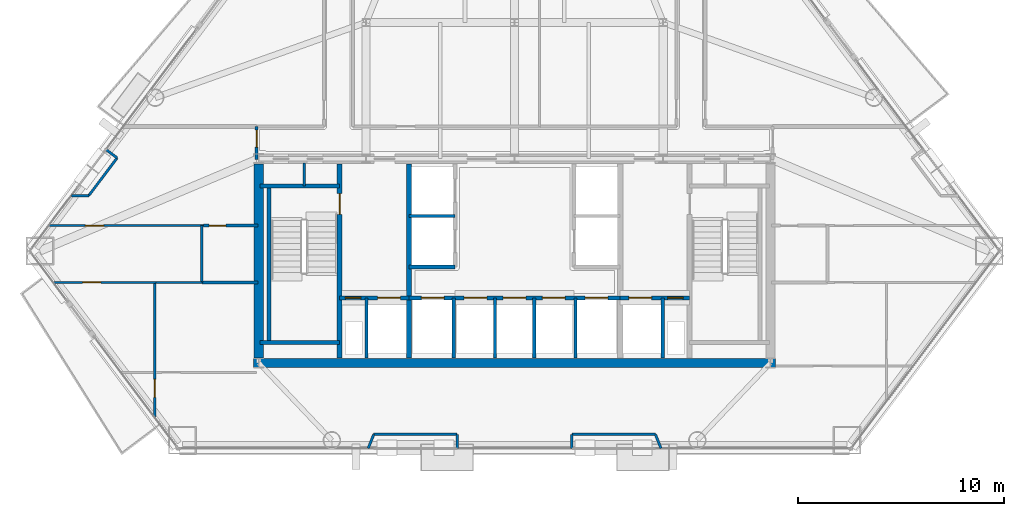
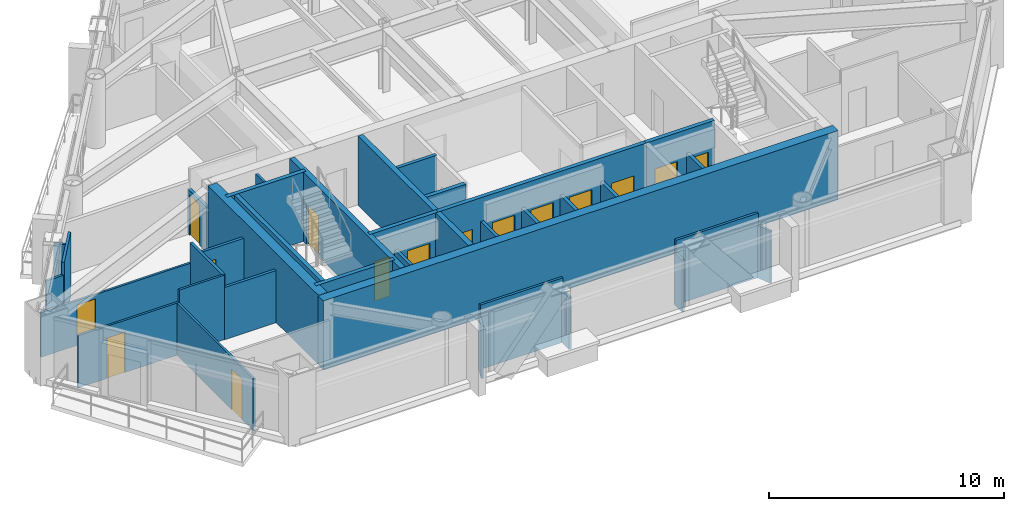
# One storey, part 6 of 11: 36 walls, 15 doors, 15 openings.
"""IFC4 building model written with IfcOpenShell, lengths in metres."""

from ifc_helpers import new_model, si_unit, direction, frame, frame_2d, origin, place, context, subcontext, project, spatial, rectangle, extrude, material, layer, layer_set, type_object, element, fill, save


model = new_model("IFC4")

# Units and contexts
model_context = context("Model", 3, precision=1e-05, world=origin(), true_north=direction((0.0, 1.0)))
body_context = subcontext(model_context, "Body", "Model", "MODEL_VIEW")
ifc_project = project(units=[si_unit("LENGTHUNIT", "METRE"), si_unit("AREAUNIT", "SQUARE_METRE"), si_unit("VOLUMEUNIT", "CUBIC_METRE"), si_unit("PLANEANGLEUNIT", "RADIAN"), si_unit("MASSUNIT", "GRAM", prefix="KILO")], contexts=[model_context])

# Site, building, storey
site_placement = place(None, origin())
site = spatial("IfcSite", under=ifc_project, at=site_placement, CompositionType="ELEMENT")
building_placement = place(site_placement, origin())
building = spatial("IfcBuilding", under=site, at=building_placement, Name="Talgorran Terracotta Tower", CompositionType="ELEMENT")
storey_placement = place(building_placement, frame((0.0, 0.0, 68.39990234375)))
storey = spatial("IfcBuildingStorey", under=building, at=storey_placement, Name="L17", CompositionType="ELEMENT", Elevation=68.39990234375)

# Walls
ifc_material_1 = material(Name="Concrete C50/60", Category="concrete")
ifc_layer_1 = layer(ifc_material_1, 0.199951171875, Name="WT_CORE_200")
ifc_layer_set_1 = layer_set([ifc_layer_1], Name="Concrete C50/60")
wall_type_1 = type_object("IfcWallType", Name="WT_CORE_200", PredefinedType="SOLIDWALL", material=ifc_layer_set_1)
for number, where, z_axis, x_axis, name in (
    (1, (-12.35009765625, -5.52001953125, 0.0), (0.0, 0.0, 1.0), (1.0, 0.0, 0.0), "WL-L17-CW-ST1-N"),
    (2, (-12.35009765625, -13.10009765625, 0.0), (0.0, 0.0, 1.0), (1.0, 0.0, 0.0), "WL-L17-CW-ST1-S"),
):
    element("IfcWall", number, at=place(storey_placement, frame(where, z_axis=z_axis, x_axis=x_axis)), inside=storey, type_object=wall_type_1, Name=name, PredefinedType="SOLIDWALL", context=body_context, shape_type="SweptSolid", body=[
        extrude(rectangle(XDim=3.8701171875, YDim=0.199951171875, at=frame_2d((1.93505859375, 0.0))), origin(), (0.0, 0.0, 1.0), 3.60009765625),
    ])
wall_1_placement = place(storey_placement, frame((-11.89990234375, -13.10009765625, 0.0), z_axis=(0.0, 0.0, 1.0), x_axis=(0.0, 1.0, 0.0)))
element("IfcWall", 3, at=wall_1_placement, inside=storey, type_object=wall_type_1, Name="WL-L17-CW-ST1-W", PredefinedType="SOLIDWALL", context=body_context, shape_type="SweptSolid", body=[
    extrude(rectangle(XDim=7.580078125, YDim=0.199951171875, at=frame_2d((3.7900390625, 0.0))), origin(), (0.0, 0.0, 1.0), 3.60009765625),
])

# Wall, openings, doors
wall_2_placement = place(storey_placement, frame((-8.47998046875, -10.949951171875, 0.0), z_axis=(0.0, 0.0, 1.0), x_axis=(1.0, 0.0, 0.0)))
wall_2 = element("IfcWall", 4, at=wall_2_placement, inside=storey, type_object=wall_type_1, Name="WL-L17-CW-H-SBW", PredefinedType="SOLIDWALL", context=body_context, shape_type="SweptSolid", body=[
    extrude(rectangle(XDim=3.35986328125, YDim=0.199951171875, at=frame_2d((1.679931640625, 0.0))), origin(), (0.0, 0.0, 1.0), 3.60009765625),
])
opening_1_placement = place(wall_2_placement, frame((0.280029296875, 0.0, 0.0)))
opening_1 = element("IfcOpeningElement", 5, at=opening_1_placement, cuts=wall_2, Name="Opening DR-RSW", PredefinedType="OPENING", context=body_context, shape_type="SweptSolid", body=[
    extrude(rectangle(XDim=0.756, YDim=2.054048828125, at=frame_2d((0.375, 1.027099609375))), frame((0.0, 0.10986328125, 0.0), z_axis=(0.0, -1.0, 0.0), x_axis=(1.0, 0.0, 0.0)), (0.0, 0.0, 1.0), 0.219970703125),
])
opening_2_placement = place(wall_2_placement, frame((1.85009765625, 0.0, 0.0)))
opening_2 = element("IfcOpeningElement", 6, at=opening_2_placement, cuts=wall_2, Name="Opening LD-FFL1", PredefinedType="OPENING", context=body_context, shape_type="SweptSolid", body=[
    extrude(rectangle(XDim=1.10609765625, YDim=2.10409765625, at=frame_2d((0.550048828125, 1.052001953125))), frame((0.0, 0.10986328125, 0.0), z_axis=(0.0, -1.0, 0.0), x_axis=(1.0, 0.0, 0.0)), (0.0, 0.0, 1.0), 0.219970703125),
])
ifc_material_2 = material(Name="Brushed Stainless Steel Grade 304", Category="steel")
door_type_1 = type_object("IfcDoorType", Name="DT_LIFT_LD1100", OperationType="DOUBLE_DOOR_SLIDING", PredefinedType="DOOR", material=ifc_material_2)
door_1_placement = place(opening_2_placement, origin())
door_1 = element("IfcDoor", 7, at=door_1_placement, inside=storey, type_object=door_type_1, Name="L17 Lift Landing Door LD-FFL1", OperationType="DOUBLE_DOOR_SLIDING", OverallHeight=2.10009765625, OverallWidth=1.10009765625, PredefinedType="DOOR", context=body_context, shape_type="SweptSolid", body=[
    extrude(rectangle(XDim=1.10009765625, YDim=2.10009765625, at=frame_2d((0.550048828125, 1.050048828125))), frame((0.0, 0.02490234375, 0.0), z_axis=(0.0, -1.0, 0.0), x_axis=(1.0, 0.0, 0.0)), (0.0, 0.0, 1.0), 0.050048828125),
])
fill(opening_2, door_1)
ifc_material_3 = material(Name="Fire-Rated Pressed Steel", Category="steel")
door_type_2 = type_object("IfcDoorType", Name="DT_RISER_750", OperationType="NOTDEFINED", PredefinedType="DOOR", material=ifc_material_3)
door_2_placement = place(opening_1_placement, origin())
door_2 = element("IfcDoor", 8, at=door_2_placement, inside=storey, type_object=door_type_2, Name="DR-RSW", OperationType="SINGLE_SWING_LEFT", OverallHeight=2.050048828125, OverallWidth=0.75, PredefinedType="DOOR", context=body_context, shape_type="SweptSolid", body=[
    extrude(rectangle(XDim=0.75, YDim=2.050048828125, at=frame_2d((0.375, 1.02490234375))), frame((0.0, 0.02490234375, 0.0), z_axis=(0.0, -1.0, 0.0), x_axis=(1.0, 0.0, 0.0)), (0.0, 0.0, 1.0), 0.050048828125),
])
fill(opening_1, door_2)

wall_3_placement = place(storey_placement, frame((-5.1201171875, -10.949951171875, 0.0), z_axis=(0.0, 0.0, 1.0), x_axis=(1.0, 0.0, 0.0)))
wall_3 = element("IfcWall", 9, at=wall_3_placement, inside=storey, type_object=wall_type_1, Name="WL-L17-CW-H-SBC", PredefinedType="SOLIDWALL", context=body_context, shape_type="SweptSolid", body=[
    extrude(rectangle(XDim=10.240234375, YDim=0.199951171875, at=frame_2d((5.1201171875, 0.0))), origin(), (0.0, 0.0, 1.0), 3.60009765625),
])
opening_3_placement = place(wall_3_placement, frame((0.60009765625, 0.0, 0.0)))
opening_3 = element("IfcOpeningElement", 10, at=opening_3_placement, cuts=wall_3, Name="Opening LD-OB1", PredefinedType="OPENING", context=body_context, shape_type="SweptSolid", body=[
    extrude(rectangle(XDim=1.10609765625, YDim=2.10409765625, at=frame_2d((0.550048828125, 1.052001953125))), frame((0.0, 0.10986328125, 0.0), z_axis=(0.0, -1.0, 0.0), x_axis=(1.0, 0.0, 0.0)), (0.0, 0.0, 1.0), 0.219970703125),
])
opening_4_placement = place(wall_3_placement, frame((2.669921875, 0.0, 0.0)))
opening_4 = element("IfcOpeningElement", 11, at=opening_4_placement, cuts=wall_3, Name="Opening LD-PLH1", PredefinedType="OPENING", context=body_context, shape_type="SweptSolid", body=[
    extrude(rectangle(XDim=1.10609765625, YDim=2.10409765625, at=frame_2d((0.550048828125, 1.052001953125))), frame((0.0, 0.10986328125, 0.0), z_axis=(0.0, -1.0, 0.0), x_axis=(1.0, 0.0, 0.0)), (0.0, 0.0, 1.0), 0.219970703125),
])
opening_5_placement = place(wall_3_placement, frame((4.570068359375, 0.0, 0.0)))
opening_5 = element("IfcOpeningElement", 12, at=opening_5_placement, cuts=wall_3, Name="Opening LD-PLH2", PredefinedType="OPENING", context=body_context, shape_type="SweptSolid", body=[
    extrude(rectangle(XDim=1.10609765625, YDim=2.10409765625, at=frame_2d((0.550048828125, 1.052001953125))), frame((0.0, 0.10986328125, 0.0), z_axis=(0.0, -1.0, 0.0), x_axis=(1.0, 0.0, 0.0)), (0.0, 0.0, 1.0), 0.219970703125),
])
opening_6_placement = place(wall_3_placement, frame((6.469970703125, 0.0, 0.0)))
opening_6 = element("IfcOpeningElement", 13, at=opening_6_placement, cuts=wall_3, Name="Opening LD-PLH3", PredefinedType="OPENING", context=body_context, shape_type="SweptSolid", body=[
    extrude(rectangle(XDim=1.10609765625, YDim=2.10409765625, at=frame_2d((0.550048828125, 1.052001953125))), frame((0.0, 0.10986328125, 0.0), z_axis=(0.0, -1.0, 0.0), x_axis=(1.0, 0.0, 0.0)), (0.0, 0.0, 1.0), 0.219970703125),
])
opening_7_placement = place(wall_3_placement, frame((8.5400390625, 0.0, 0.0)))
opening_7 = element("IfcOpeningElement", 14, at=opening_7_placement, cuts=wall_3, Name="Opening LD-SVL1", PredefinedType="OPENING", context=body_context, shape_type="SweptSolid", body=[
    extrude(rectangle(XDim=1.10609765625, YDim=2.10409765625, at=frame_2d((0.550048828125, 1.052001953125))), frame((0.0, 0.10986328125, 0.0), z_axis=(0.0, -1.0, 0.0), x_axis=(1.0, 0.0, 0.0)), (0.0, 0.0, 1.0), 0.219970703125),
])
door_3_placement = place(opening_3_placement, origin())
door_3 = element("IfcDoor", 15, at=door_3_placement, inside=storey, type_object=door_type_1, Name="L17 Lift Landing Door LD-OB1", OperationType="DOUBLE_DOOR_SLIDING", OverallHeight=2.10009765625, OverallWidth=1.10009765625, PredefinedType="DOOR", context=body_context, shape_type="SweptSolid", body=[
    extrude(rectangle(XDim=1.10009765625, YDim=2.10009765625, at=frame_2d((0.550048828125, 1.050048828125))), frame((0.0, 0.02490234375, 0.0), z_axis=(0.0, -1.0, 0.0), x_axis=(1.0, 0.0, 0.0)), (0.0, 0.0, 1.0), 0.050048828125),
])
fill(opening_3, door_3)
door_4_placement = place(opening_4_placement, origin())
door_4 = element("IfcDoor", 16, at=door_4_placement, inside=storey, type_object=door_type_1, Name="L17 Lift Landing Door LD-PLH1", OperationType="DOUBLE_DOOR_SLIDING", OverallHeight=2.10009765625, OverallWidth=1.10009765625, PredefinedType="DOOR", context=body_context, shape_type="SweptSolid", body=[
    extrude(rectangle(XDim=1.10009765625, YDim=2.10009765625, at=frame_2d((0.550048828125, 1.050048828125))), frame((0.0, 0.02490234375, 0.0), z_axis=(0.0, -1.0, 0.0), x_axis=(1.0, 0.0, 0.0)), (0.0, 0.0, 1.0), 0.050048828125),
])
fill(opening_4, door_4)
door_5_placement = place(opening_5_placement, origin())
door_5 = element("IfcDoor", 17, at=door_5_placement, inside=storey, type_object=door_type_1, Name="L17 Lift Landing Door LD-PLH2", OperationType="DOUBLE_DOOR_SLIDING", OverallHeight=2.10009765625, OverallWidth=1.10009765625, PredefinedType="DOOR", context=body_context, shape_type="SweptSolid", body=[
    extrude(rectangle(XDim=1.10009765625, YDim=2.10009765625, at=frame_2d((0.550048828125, 1.050048828125))), frame((0.0, 0.02490234375, 0.0), z_axis=(0.0, -1.0, 0.0), x_axis=(1.0, 0.0, 0.0)), (0.0, 0.0, 1.0), 0.050048828125),
])
fill(opening_5, door_5)
door_6_placement = place(opening_6_placement, origin())
door_6 = element("IfcDoor", 18, at=door_6_placement, inside=storey, type_object=door_type_1, Name="L17 Lift Landing Door LD-PLH3", OperationType="DOUBLE_DOOR_SLIDING", OverallHeight=2.10009765625, OverallWidth=1.10009765625, PredefinedType="DOOR", context=body_context, shape_type="SweptSolid", body=[
    extrude(rectangle(XDim=1.10009765625, YDim=2.10009765625, at=frame_2d((0.550048828125, 1.050048828125))), frame((0.0, 0.02490234375, 0.0), z_axis=(0.0, -1.0, 0.0), x_axis=(1.0, 0.0, 0.0)), (0.0, 0.0, 1.0), 0.050048828125),
])
fill(opening_6, door_6)
door_7_placement = place(opening_7_placement, origin())
door_7 = element("IfcDoor", 19, at=door_7_placement, inside=storey, type_object=door_type_1, Name="L17 Lift Landing Door LD-SVL1", OperationType="DOUBLE_DOOR_SLIDING", OverallHeight=2.10009765625, OverallWidth=1.10009765625, PredefinedType="DOOR", context=body_context, shape_type="SweptSolid", body=[
    extrude(rectangle(XDim=1.10009765625, YDim=2.10009765625, at=frame_2d((0.550048828125, 1.050048828125))), frame((0.0, 0.02490234375, 0.0), z_axis=(0.0, -1.0, 0.0), x_axis=(1.0, 0.0, 0.0)), (0.0, 0.0, 1.0), 0.050048828125),
])
fill(opening_7, door_7)

wall_4_placement = place(storey_placement, frame((5.1201171875, -10.949951171875, 0.0), z_axis=(0.0, 0.0, 1.0), x_axis=(1.0, 0.0, 0.0)))
wall_4 = element("IfcWall", 20, at=wall_4_placement, inside=storey, type_object=wall_type_1, Name="WL-L17-CW-H-SBE", PredefinedType="SOLIDWALL", context=body_context, shape_type="SweptSolid", body=[
    extrude(rectangle(XDim=3.35986328125, YDim=0.199951171875, at=frame_2d((1.679931640625, 0.0))), origin(), (0.0, 0.0, 1.0), 3.60009765625),
])
opening_8_placement = place(wall_4_placement, frame((0.419921875, 0.0, 0.0)))
opening_8 = element("IfcOpeningElement", 21, at=opening_8_placement, cuts=wall_4, Name="Opening LD-FFL2", PredefinedType="OPENING", context=body_context, shape_type="SweptSolid", body=[
    extrude(rectangle(XDim=1.10609765625, YDim=2.10409765625, at=frame_2d((0.550048828125, 1.052001953125))), frame((0.0, 0.10986328125, 0.0), z_axis=(0.0, -1.0, 0.0), x_axis=(1.0, 0.0, 0.0)), (0.0, 0.0, 1.0), 0.219970703125),
])
opening_9_placement = place(wall_4_placement, frame((2.300048828125, 0.0, 0.0)))
opening_9 = element("IfcOpeningElement", 22, at=opening_9_placement, cuts=wall_4, Name="Opening DR-RSE", PredefinedType="OPENING", context=body_context, shape_type="SweptSolid", body=[
    extrude(rectangle(XDim=0.756, YDim=2.054048828125, at=frame_2d((0.375, 1.027099609375))), frame((0.0, 0.10986328125, 0.0), z_axis=(0.0, -1.0, 0.0), x_axis=(1.0, 0.0, 0.0)), (0.0, 0.0, 1.0), 0.219970703125),
])
door_8_placement = place(opening_8_placement, origin())
door_8 = element("IfcDoor", 23, at=door_8_placement, inside=storey, type_object=door_type_1, Name="L17 Lift Landing Door LD-FFL2", OperationType="DOUBLE_DOOR_SLIDING", OverallHeight=2.10009765625, OverallWidth=1.10009765625, PredefinedType="DOOR", context=body_context, shape_type="SweptSolid", body=[
    extrude(rectangle(XDim=1.10009765625, YDim=2.10009765625, at=frame_2d((0.550048828125, 1.050048828125))), frame((0.0, 0.02490234375, 0.0), z_axis=(0.0, -1.0, 0.0), x_axis=(1.0, 0.0, 0.0)), (0.0, 0.0, 1.0), 0.050048828125),
])
fill(opening_8, door_8)
door_9_placement = place(opening_9_placement, origin())
door_9 = element("IfcDoor", 24, at=door_9_placement, inside=storey, type_object=door_type_2, Name="DR-RSE", OperationType="SINGLE_SWING_RIGHT", OverallHeight=2.050048828125, OverallWidth=0.75, PredefinedType="DOOR", context=body_context, shape_type="SweptSolid", body=[
    extrude(rectangle(XDim=0.75, YDim=2.050048828125, at=frame_2d((0.375, 1.02490234375))), frame((0.0, 0.02490234375, 0.0), z_axis=(0.0, -1.0, 0.0), x_axis=(1.0, 0.0, 0.0)), (0.0, 0.0, 1.0), 0.050048828125),
])
fill(opening_9, door_9)

# Wall
wall_5_placement = place(storey_placement, frame((-5.1201171875, -9.449951171875, 0.0), z_axis=(0.0, 0.0, 1.0), x_axis=(1.0, 0.0, 0.0)))
element("IfcWall", 25, at=wall_5_placement, inside=storey, type_object=wall_type_1, Name="WL-L17-CW-H-W4", PredefinedType="SOLIDWALL", context=body_context, shape_type="SweptSolid", body=[
    extrude(rectangle(XDim=2.240234375, YDim=0.199951171875, at=frame_2d((1.1201171875, 0.0))), origin(), (0.0, 0.0, 1.0), 3.35009765625),
])

# Wall, opening, door
ifc_layer_2 = layer(ifc_material_1, 0.25, Name="WT_CORE_250")
ifc_layer_set_2 = layer_set([ifc_layer_2], Name="Concrete C50/60")
wall_type_2 = type_object("IfcWallType", Name="WT_CORE_250", PredefinedType="SHEAR", material=ifc_layer_set_2)
wall_6_placement = place(storey_placement, frame((-8.47998046875, -13.85009765625, 0.0), z_axis=(0.0, 0.0, 1.0), x_axis=(0.0, 1.0, 0.0)))
wall_6 = element("IfcWall", 26, at=wall_6_placement, inside=storey, type_object=wall_type_2, Name="WL-L17-CW-V-W1", PredefinedType="SHEAR", context=body_context, shape_type="SweptSolid", body=[
    extrude(rectangle(XDim=9.400146484375, YDim=0.25, at=frame_2d((4.7001953125, 0.0))), origin(), (0.0, 0.0, 1.0), 3.60009765625),
])
opening_10_placement = place(wall_6_placement, frame((6.949951171875, 0.0, 0.0)))
opening_10 = element("IfcOpeningElement", 27, at=opening_10_placement, cuts=wall_6, Name="Opening DR-ST01", PredefinedType="OPENING", context=body_context, shape_type="SweptSolid", body=[
    extrude(rectangle(XDim=1.006, YDim=2.10409765625, at=frame_2d((0.5, 1.052001953125))), frame((0.0, 0.135009765625, 0.0), z_axis=(0.0, -1.0, 0.0), x_axis=(1.0, 0.0, 0.0)), (0.0, 0.0, 1.0), 0.27001953125),
])
door_type_3 = type_object("IfcDoorType", Name="DT_FIRE_1000", OperationType="NOTDEFINED", PredefinedType="DOOR", material=ifc_material_3)
door_10_placement = place(opening_10_placement, origin())
door_10 = element("IfcDoor", 28, at=door_10_placement, inside=storey, type_object=door_type_3, Name="DR-ST01", OperationType="SINGLE_SWING_LEFT", OverallHeight=2.10009765625, OverallWidth=1.0, PredefinedType="DOOR", context=body_context, shape_type="SweptSolid", body=[
    extrude(rectangle(XDim=1.0, YDim=2.10009765625, at=frame_2d((0.5, 1.050048828125))), frame((0.0, 0.02490234375, 0.0), z_axis=(0.0, -1.0, 0.0), x_axis=(1.0, 0.0, 0.0)), (0.0, 0.0, 1.0), 0.050048828125),
])
fill(opening_10, door_10)

# Walls
wall_7_placement = place(storey_placement, frame((-5.1201171875, -13.85009765625, 0.0), z_axis=(0.0, 0.0, 1.0), x_axis=(0.0, 1.0, 0.0)))
element("IfcWall", 29, at=wall_7_placement, inside=storey, type_object=wall_type_2, Name="WL-L17-CW-V-W2", PredefinedType="SHEAR", context=body_context, shape_type="SweptSolid", body=[
    extrude(rectangle(XDim=9.400146484375, YDim=0.25, at=frame_2d((4.7001953125, 0.0))), origin(), (0.0, 0.0, 1.0), 3.60009765625),
])
ifc_material_4 = material(Name="Concrete C65/80", Category="concrete")
ifc_layer_3 = layer(ifc_material_4, 0.449951171875, Name="WT_CORE_EXT")
ifc_layer_set_3 = layer_set([ifc_layer_3], Name="Concrete C65/80")
wall_type_3 = type_object("IfcWallType", Name="WT_CORE_EXT", PredefinedType="SHEAR", material=ifc_layer_set_3)
wall_8_placement = place(storey_placement, frame((-12.64990234375, -14.10009765625, 0.0), z_axis=(0.0, 0.0, 1.0), x_axis=(1.0, 0.0, 0.0)))
element("IfcWall", 30, at=wall_8_placement, inside=storey, type_object=wall_type_3, Name="WL-L17-CW-OUT-S", PredefinedType="SHEAR", context=body_context, shape_type="SweptSolid", body=[
    extrude(rectangle(XDim=25.2998046875, YDim=0.449951171875, at=frame_2d((12.64990234375, 0.0))), origin(), (0.0, 0.0, 1.0), 3.60009765625),
])
wall_9_placement = place(storey_placement, frame((-12.39990234375, -13.85009765625, 0.0), z_axis=(0.0, 0.0, 1.0), x_axis=(0.0, 1.0, 0.0)))
element("IfcWall", 31, at=wall_9_placement, inside=storey, type_object=wall_type_3, Name="WL-L17-CW-OUT-W", PredefinedType="SHEAR", context=body_context, shape_type="SweptSolid", body=[
    extrude(rectangle(XDim=9.400146484375, YDim=0.449951171875, at=frame_2d((4.7001953125, 0.0))), origin(), (0.0, 0.0, 1.0), 3.60009765625),
])

# Wall, opening, door
ifc_material_5 = material(Name="Fire-Rated Steel Stud Plasterboard", Category="steel")
ifc_layer_4 = layer(ifc_material_5, 0.14990234375, Name="WT_FIRE_150")
ifc_layer_set_4 = layer_set([ifc_layer_4], Name="Fire-Rated Steel Stud Plasterboard")
wall_type_4 = type_object("IfcWallType", Name="WT_FIRE_150", PredefinedType="PARTITIONING", material=ifc_layer_set_4)
wall_10_placement = place(storey_placement, frame((-12.5, -4.239990234375, 0.0), z_axis=(0.0, 0.0, 1.0), x_axis=(0.0, 1.0, 0.0)))
wall_10 = element("IfcWall", 32, at=wall_10_placement, inside=storey, type_object=wall_type_4, Name="WL-L17-W-L17-R01", PredefinedType="PARTITIONING", context=body_context, shape_type="SweptSolid", body=[
    extrude(rectangle(XDim=1.60009765625, YDim=0.14990234375, at=frame_2d((0.800048828125, 0.0))), origin(), (0.0, 0.0, 1.0), 2.3251953125),
])
opening_11_placement = place(wall_10_placement, frame((0.602294921875, 0.0, 0.0)))
opening_11 = element("IfcOpeningElement", 33, at=opening_11_placement, cuts=wall_10, Name="Opening DR-L17-R01", PredefinedType="OPENING", context=body_context, shape_type="SweptSolid", body=[
    extrude(rectangle(XDim=0.826068359375, YDim=2.10409765625, at=frame_2d((0.41015625, 1.052001953125))), frame((0.0, 0.0849609375, 0.0), z_axis=(0.0, -1.0, 0.0), x_axis=(1.0, 0.0, 0.0)), (0.0, 0.0, 1.0), 0.169921875),
])
ifc_material_6 = material(Name="Moisture-Resistant Solid Timber", Category="wood")
door_type_4 = type_object("IfcDoorType", Name="DT_INT_820", OperationType="NOTDEFINED", PredefinedType="DOOR", material=ifc_material_6)
door_11_placement = place(opening_11_placement, origin())
door_11 = element("IfcDoor", 34, at=door_11_placement, inside=storey, type_object=door_type_4, Name="DR-L17-R01", OperationType="SINGLE_SWING_LEFT", OverallHeight=2.10009765625, OverallWidth=0.820068359375, PredefinedType="DOOR", context=body_context, shape_type="SweptSolid", body=[
    extrude(rectangle(XDim=0.820068359375, YDim=2.10009765625, at=frame_2d((0.41015625, 1.050048828125))), frame((0.0, 0.02490234375, 0.0), z_axis=(0.0, -1.0, 0.0), x_axis=(1.0, 0.0, 0.0)), (0.0, 0.0, 1.0), 0.050048828125),
])
fill(opening_11, door_11)

ifc_material_7 = material(Name="Lightweight Steel Stud Partition", Category="steel")
ifc_layer_5 = layer(ifc_material_7, 0.10498046875, Name="WT_PART_110")
ifc_layer_set_5 = layer_set([ifc_layer_5], Name="Lightweight Steel Stud Partition")
wall_type_5 = type_object("IfcWallType", Name="WT_PART_110", PredefinedType="PARTITIONING", material=ifc_layer_set_5)
wall_11_placement = place(storey_placement, frame((-22.578125, -7.43994140625, 0.0), z_axis=(0.0, 0.0, 1.0), x_axis=(1.0, 0.0, 0.0)))
wall_11 = element("IfcWall", 35, at=wall_11_placement, inside=storey, type_object=wall_type_5, Name="WL-L17-W-L17-R18", PredefinedType="PARTITIONING", context=body_context, shape_type="SweptSolid", body=[
    extrude(rectangle(XDim=7.498046875, YDim=0.10498046875, at=frame_2d((3.7490234375, 0.0))), origin(), (0.0, 0.0, 1.0), 2.3251953125),
])
opening_12_placement = place(wall_11_placement, frame((1.779541015625, 0.0, 0.0)))
opening_12 = element("IfcOpeningElement", 36, at=opening_12_placement, cuts=wall_11, Name="Opening DR-L17-R03", PredefinedType="OPENING", context=body_context, shape_type="SweptSolid", body=[
    extrude(rectangle(XDim=0.8858828125, YDim=2.10409765625, at=frame_2d((0.43994140625, 1.052001953125))), frame((0.0, 0.0625, 0.0), z_axis=(0.0, -1.0, 0.0), x_axis=(1.0, 0.0, 0.0)), (0.0, 0.0, 1.0), 0.125),
])
ifc_material_8 = material(Name="Solid-Core Painted Timber", Category="wood")
door_type_5 = type_object("IfcDoorType", Name="DT_INT_880", OperationType="NOTDEFINED", PredefinedType="DOOR", material=ifc_material_8)
door_12_placement = place(opening_12_placement, origin())
door_12 = element("IfcDoor", 37, at=door_12_placement, inside=storey, type_object=door_type_5, Name="DR-L17-R03", OperationType="SINGLE_SWING_LEFT", OverallHeight=2.10009765625, OverallWidth=0.8798828125, PredefinedType="DOOR", context=body_context, shape_type="SweptSolid", body=[
    extrude(rectangle(XDim=0.8798828125, YDim=2.10009765625, at=frame_2d((0.43994140625, 1.050048828125))), frame((0.0, 0.02490234375, 0.0), z_axis=(0.0, -1.0, 0.0), x_axis=(1.0, 0.0, 0.0)), (0.0, 0.0, 1.0), 0.050048828125),
])
fill(opening_12, door_12)

wall_12_placement = place(storey_placement, frame((-17.43994140625, -16.734375, 0.0), z_axis=(0.0, 0.0, 1.0), x_axis=(0.0, 1.0, 0.0)))
wall_12 = element("IfcWall", 38, at=wall_12_placement, inside=storey, type_object=wall_type_5, Name="WL-L17-W-L17-R25", PredefinedType="PARTITIONING", context=body_context, shape_type="SweptSolid", body=[
    extrude(rectangle(XDim=6.534423828125, YDim=0.10498046875, at=frame_2d((3.26708984375, 0.0))), origin(), (0.0, 0.0, 1.0), 2.71337890625),
])
opening_13_placement = place(wall_12_placement, frame((0.960693359375, 0.0, 0.0)))
opening_13 = element("IfcOpeningElement", 39, at=opening_13_placement, cuts=wall_12, Name="Opening DR-L17-R05", PredefinedType="OPENING", context=body_context, shape_type="SweptSolid", body=[
    extrude(rectangle(XDim=0.8858828125, YDim=2.10409765625, at=frame_2d((0.43994140625, 1.052001953125))), frame((0.0, 0.0625, 0.0), z_axis=(0.0, -1.0, 0.0), x_axis=(1.0, 0.0, 0.0)), (0.0, 0.0, 1.0), 0.125),
])
door_13_placement = place(opening_13_placement, origin())
door_13 = element("IfcDoor", 40, at=door_13_placement, inside=storey, type_object=door_type_5, Name="DR-L17-R05", OperationType="SINGLE_SWING_LEFT", OverallHeight=2.10009765625, OverallWidth=0.8798828125, PredefinedType="DOOR", context=body_context, shape_type="SweptSolid", body=[
    extrude(rectangle(XDim=0.8798828125, YDim=2.10009765625, at=frame_2d((0.43994140625, 1.050048828125))), frame((0.0, 0.02490234375, 0.0), z_axis=(0.0, -1.0, 0.0), x_axis=(1.0, 0.0, 0.0)), (0.0, 0.0, 1.0), 0.050048828125),
])
fill(opening_13, door_13)

wall_13_placement = place(storey_placement, frame((-22.356689453125, -10.199951171875, 0.0), z_axis=(0.0, 0.0, 1.0), x_axis=(1.0, 0.0, 0.0)))
wall_13 = element("IfcWall", 41, at=wall_13_placement, inside=storey, type_object=wall_type_5, Name="WL-L17-W-L17-R22", PredefinedType="PARTITIONING", context=body_context, shape_type="SweptSolid", body=[
    extrude(rectangle(XDim=4.976806640625, YDim=0.10498046875, at=frame_2d((2.48828125, 0.0))), origin(), (0.0, 0.0, 1.0), 2.71337890625),
])
opening_14_placement = place(wall_13_placement, frame((1.4189453125, 0.0, 0.0)))
opening_14 = element("IfcOpeningElement", 42, at=opening_14_placement, cuts=wall_13, Name="Opening DR-L17-R04", PredefinedType="OPENING", context=body_context, shape_type="SweptSolid", body=[
    extrude(rectangle(XDim=0.8858828125, YDim=2.10409765625, at=frame_2d((0.43994140625, 1.052001953125))), frame((0.0, 0.0625, 0.0), z_axis=(0.0, -1.0, 0.0), x_axis=(1.0, 0.0, 0.0)), (0.0, 0.0, 1.0), 0.125),
])
door_14_placement = place(opening_14_placement, origin())
door_14 = element("IfcDoor", 43, at=door_14_placement, inside=storey, type_object=door_type_5, Name="DR-L17-R04", OperationType="SINGLE_SWING_RIGHT", OverallHeight=2.10009765625, OverallWidth=0.8798828125, PredefinedType="DOOR", context=body_context, shape_type="SweptSolid", body=[
    extrude(rectangle(XDim=0.8798828125, YDim=2.10009765625, at=frame_2d((0.43994140625, 1.050048828125))), frame((0.0, 0.02490234375, 0.0), z_axis=(0.0, -1.0, 0.0), x_axis=(1.0, 0.0, 0.0)), (0.0, 0.0, 1.0), 0.050048828125),
])
fill(opening_14, door_14)

# Walls
wall_14_placement = place(storey_placement, frame((-17.3779296875, -10.199951171875, 0.0), z_axis=(0.0, 0.0, 1.0), x_axis=(1.0, 0.0, 0.0)))
element("IfcWall", 44, at=wall_14_placement, inside=storey, type_object=wall_type_5, Name="WL-L17-W-L17-R23", PredefinedType="PARTITIONING", context=body_context, shape_type="SweptSolid", body=[
    extrude(rectangle(XDim=2.218017578125, YDim=0.10498046875, at=frame_2d((1.10888671875, 0.0))), origin(), (0.0, 0.0, 1.0), 3.35009765625),
])
ifc_material_9 = material(Name="Insulated Steel Stud Plasterboard", Category="steel")
ifc_layer_6 = layer(ifc_material_9, 0.1201171875, Name="WT_PART_120")
ifc_layer_set_6 = layer_set([ifc_layer_6], Name="Insulated Steel Stud Plasterboard")
wall_type_6 = type_object("IfcWallType", Name="WT_PART_120", PredefinedType="PARTITIONING", material=ifc_layer_set_6)
wall_15_placement = place(storey_placement, frame((-10.199951171875, -5.52001953125, 0.0), z_axis=(0.0, 0.0, 1.0), x_axis=(0.0, 1.0, 0.0)))
element("IfcWall", 45, at=wall_15_placement, inside=storey, type_object=wall_type_6, Name="WL-L17-CW-CSW-DIV", PredefinedType="PARTITIONING", context=body_context, shape_type="SweptSolid", body=[
    extrude(rectangle(XDim=1.1201171875, YDim=0.1201171875, at=frame_2d((0.56005859375, 0.0))), origin(), (0.0, 0.0, 1.0), 3.35009765625),
])
for number, where, z_axis, x_axis, name in (
    (46, (-6.8271484375, -17.566650390625, 0.0), (0.0, 0.0, 1.0), (1.0, 0.0, 0.0), "WL-L17-BW-L17-01"),
    (47, (2.779296875, -17.566650390625, 0.0), (0.0, 0.0, 1.0), (1.0, 0.0, 0.0), "WL-L17-BW-L17-06"),
):
    element("IfcWall", number, at=place(storey_placement, frame(where, z_axis=z_axis, x_axis=x_axis)), inside=storey, type_object=wall_type_6, Name=name, PredefinedType="PARTITIONING", context=body_context, shape_type="SweptSolid", body=[
        extrude(rectangle(XDim=4.0478515625, YDim=0.1201171875, at=frame_2d((2.02392578125, 0.0))), origin(), (0.0, 0.0, 1.0), 3.35009765625),
    ])
wall_16_placement = place(storey_placement, frame((-19.2626953125, -4.164306640625, 0.0), z_axis=(0.0, 0.0, 1.0), x_axis=(-0.601181786604, -0.799112294647, 0.0)))
element("IfcWall", 48, at=wall_16_placement, inside=storey, type_object=wall_type_6, Name="WL-L17-BW-L17-08", PredefinedType="PARTITIONING", context=body_context, shape_type="SweptSolid", body=[
    extrude(rectangle(XDim=2.279541015625, YDim=0.1201171875, at=frame_2d((1.1396484375, 0.0))), origin(), (0.0, 0.0, 1.0), 3.35009765625),
])
wall_17_placement = place(storey_placement, frame((-20.633056640625, -5.98583984375, 0.0), z_axis=(0.0, 0.0, 1.0), x_axis=(-0.99987928277, -0.015537692452, 0.0)))
element("IfcWall", 49, at=wall_17_placement, inside=storey, type_object=wall_type_6, Name="WL-L17-BW-L17-09", PredefinedType="PARTITIONING", context=body_context, shape_type="SweptSolid", body=[
    extrude(rectangle(XDim=0.848388671875, YDim=0.1201171875, at=frame_2d((0.42431640625, 0.0))), origin(), (0.0, 0.0, 1.0), 2.71337890625),
])
for number, where, z_axis, x_axis, name in (
    (50, (-7.09423828125, -18.23681640625, 0.0), (0.0, 0.0, 1.0), (0.37022344284, 0.928942733634, 0.0), "WL-L17-BW-L17-03"),
    (51, (6.8271484375, -17.566650390625, 0.0), (0.0, 0.0, 1.0), (0.37022344284, -0.928942733634, 0.0), "WL-L17-BW-L17-04"),
):
    element("IfcWall", number, at=place(storey_placement, frame(where, z_axis=z_axis, x_axis=x_axis)), inside=storey, type_object=wall_type_6, Name=name, PredefinedType="PARTITIONING", context=body_context, shape_type="SweptSolid", body=[
        extrude(rectangle(XDim=0.721435546875, YDim=0.1201171875, at=frame_2d((0.36083984375, 0.0))), origin(), (0.0, 0.0, 1.0), 2.71337890625),
    ])
for number, where, z_axis, x_axis, name in (
    (52, (-2.779296875, -17.566650390625, 0.0), (0.0, 0.0, 1.0), (0.0, -1.0, 0.0), "WL-L17-BW-L17-02"),
    (53, (2.779296875, -18.23681640625, 0.0), (0.0, 0.0, 1.0), (0.0, 1.0, 0.0), "WL-L17-BW-L17-05"),
):
    element("IfcWall", number, at=place(storey_placement, frame(where, z_axis=z_axis, x_axis=x_axis)), inside=storey, type_object=wall_type_6, Name=name, PredefinedType="PARTITIONING", context=body_context, shape_type="SweptSolid", body=[
        extrude(rectangle(XDim=0.670166015625, YDim=0.1201171875, at=frame_2d((0.3349609375, 0.0))), origin(), (0.0, 0.0, 1.0), 2.71337890625),
    ])
wall_18_placement = place(storey_placement, frame((-19.7978515625, -3.761474609375, 0.0), z_axis=(0.0, 0.0, 1.0), x_axis=(0.798949061571, -0.601398700544, 0.0)))
element("IfcWall", 54, at=wall_18_placement, inside=storey, type_object=wall_type_6, Name="WL-L17-BW-L17-07", PredefinedType="PARTITIONING", context=body_context, shape_type="SweptSolid", body=[
    extrude(rectangle(XDim=0.669921875, YDim=0.1201171875, at=frame_2d((0.3349609375, 0.0))), origin(), (0.0, 0.0, 1.0), 2.71337890625),
])

# Wall, opening, door
ifc_material_10 = material(Name="Moisture-Resistant Stud Wall")
ifc_layer_7 = layer(ifc_material_10, 0.135009765625, Name="WT_PART_135")
ifc_layer_set_7 = layer_set([ifc_layer_7], Name="Moisture-Resistant Stud Wall")
wall_type_7 = type_object("IfcWallType", Name="WT_PART_135", PredefinedType="PARTITIONING", material=ifc_layer_set_7)
wall_19_placement = place(storey_placement, frame((-15.077880859375, -7.43994140625, 0.0), z_axis=(0.0, 0.0, 1.0), x_axis=(1.0, 0.0, 0.0)))
wall_19 = element("IfcWall", 55, at=wall_19_placement, inside=storey, type_object=wall_type_7, Name="WL-L17-W-L17-R17", PredefinedType="PARTITIONING", context=body_context, shape_type="SweptSolid", body=[
    extrude(rectangle(XDim=2.637939453125, YDim=0.135009765625, at=frame_2d((1.31884765625, 0.0))), origin(), (0.0, 0.0, 1.0), 2.71337890625),
])
opening_15_placement = place(wall_19_placement, frame((0.2705078125, 0.0, 0.0)))
opening_15 = element("IfcOpeningElement", 56, at=opening_15_placement, cuts=wall_19, Name="Opening DR-L17-R02", PredefinedType="OPENING", context=body_context, shape_type="SweptSolid", body=[
    extrude(rectangle(XDim=0.826068359375, YDim=2.10409765625, at=frame_2d((0.41015625, 1.052001953125))), frame((0.0, 0.07763671875, 0.0), z_axis=(0.0, -1.0, 0.0), x_axis=(1.0, 0.0, 0.0)), (0.0, 0.0, 1.0), 0.155029296875),
])
door_15_placement = place(opening_15_placement, origin())
door_15 = element("IfcDoor", 57, at=door_15_placement, inside=storey, type_object=door_type_4, Name="DR-L17-R02", OperationType="SINGLE_SWING_RIGHT", OverallHeight=2.10009765625, OverallWidth=0.820068359375, PredefinedType="DOOR", context=body_context, shape_type="SweptSolid", body=[
    extrude(rectangle(XDim=0.820068359375, YDim=2.10009765625, at=frame_2d((0.41015625, 1.050048828125))), frame((0.0, 0.02490234375, 0.0), z_axis=(0.0, -1.0, 0.0), x_axis=(1.0, 0.0, 0.0)), (0.0, 0.0, 1.0), 0.050048828125),
])
fill(opening_15, door_15)

# Walls
wall_20_placement = place(storey_placement, frame((-15.159912109375, -10.199951171875, 0.0), z_axis=(0.0, 0.0, 1.0), x_axis=(0.0, 1.0, 0.0)))
element("IfcWall", 58, at=wall_20_placement, inside=storey, type_object=wall_type_7, Name="WL-L17-W-L17-R20", PredefinedType="PARTITIONING", context=body_context, shape_type="SweptSolid", body=[
    extrude(rectangle(XDim=2.760009765625, YDim=0.135009765625, at=frame_2d((1.3798828125, 0.0))), origin(), (0.0, 0.0, 1.0), 3.35009765625),
])
wall_21_placement = place(storey_placement, frame((-15.159912109375, -10.199951171875, 0.0), z_axis=(0.0, 0.0, 1.0), x_axis=(1.0, 0.0, 0.0)))
element("IfcWall", 59, at=wall_21_placement, inside=storey, type_object=wall_type_7, Name="WL-L17-W-L17-R21", PredefinedType="PARTITIONING", context=body_context, shape_type="SweptSolid", body=[
    extrude(rectangle(XDim=2.719970703125, YDim=0.135009765625, at=frame_2d((1.35986328125, 0.0))), origin(), (0.0, 0.0, 1.0), 2.71337890625),
])
ifc_material_11 = material(Name="Fire-Rated Shaftwall")
ifc_layer_8 = layer(ifc_material_11, 0.159912109375, Name="WT_PART_150")
ifc_layer_set_8 = layer_set([ifc_layer_8], Name="Fire-Rated Shaftwall")
wall_type_8 = type_object("IfcWallType", Name="WT_PART_150", PredefinedType="PARTITIONING", material=ifc_layer_set_8)
wall_22_placement = place(storey_placement, frame((-5.1201171875, -6.97998046875, 0.0), z_axis=(0.0, 0.0, 1.0), x_axis=(1.0, 0.0, 0.0)))
element("IfcWall", 60, at=wall_22_placement, inside=storey, type_object=wall_type_8, Name="WL-L17-CW-PLL-DIV", PredefinedType="PARTITIONING", context=body_context, shape_type="SweptSolid", body=[
    extrude(rectangle(XDim=2.240234375, YDim=0.159912109375, at=frame_2d((1.1201171875, 0.0))), origin(), (0.0, 0.0, 1.0), 3.35009765625),
])
for number, where, z_axis, x_axis, name in (
    (61, (-7.179931640625, -13.85009765625, 0.0), (0.0, 0.0, 1.0), (0.0, 1.0, 0.0), "WL-L17-CW-RSW"),
    (62, (7.179931640625, -13.85009765625, 0.0), (0.0, 0.0, 1.0), (0.0, 1.0, 0.0), "WL-L17-CW-RSE"),
    (63, (-2.949951171875, -13.85009765625, 0.0), (0.0, 0.0, 1.0), (0.0, 1.0, 0.0), "WL-L17-CW-OB-E"),
    (64, (2.949951171875, -13.85009765625, 0.0), (0.0, 0.0, 1.0), (0.0, 1.0, 0.0), "WL-L17-CW-SV-W"),
    (65, (-0.949951171875, -13.85009765625, 0.0), (0.0, 0.0, 1.0), (0.0, 1.0, 0.0), "WL-L17-CW-PLH-D1"),
    (66, (0.949951171875, -13.85009765625, 0.0), (0.0, 0.0, 1.0), (0.0, 1.0, 0.0), "WL-L17-CW-PLH-D2"),
):
    element("IfcWall", number, at=place(storey_placement, frame(where, z_axis=z_axis, x_axis=x_axis)), inside=storey, type_object=wall_type_8, Name=name, PredefinedType="PARTITIONING", context=body_context, shape_type="SweptSolid", body=[
        extrude(rectangle(XDim=2.900146484375, YDim=0.159912109375, at=frame_2d((1.4501953125, 0.0))), origin(), (0.0, 0.0, 1.0), 2.375),
    ])

save(model, "model.ifc")
